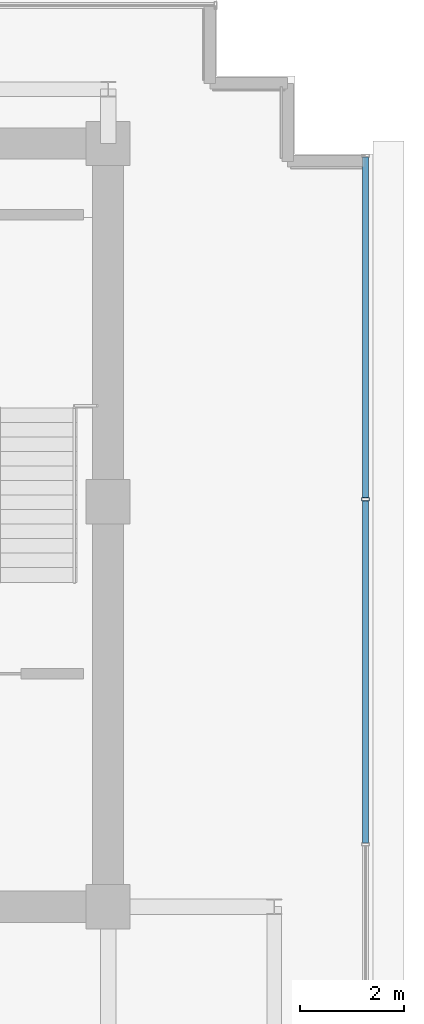
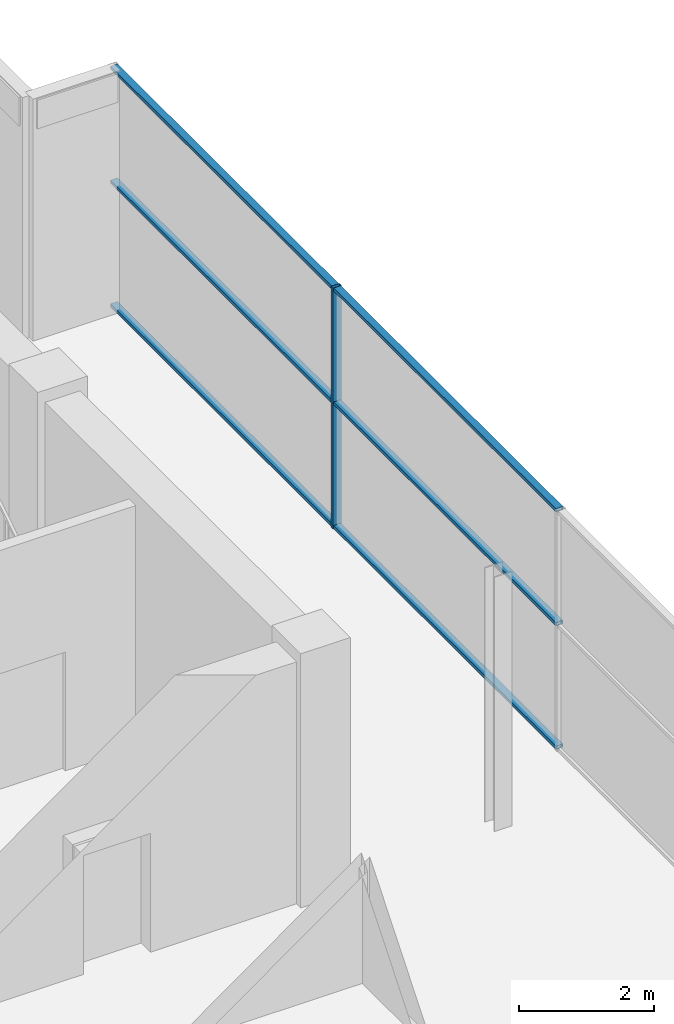
# One storey, part 17 of 26: 7 members, 1 element without a shape of its own.
"""IFC4 building model written with IfcOpenShell, lengths in metres."""

from ifc_helpers import new_model, si_unit, direction, frame, origin, origin_2d, place, context, subcontext, project, spatial, hollow_rectangle, extrude, source, transform, mapped, material, layer, layer_set, material_profile, profile_set, type_object, element, aggregate, save


model = new_model("IFC4")

# Units and contexts
model_context = context("Model", 3, precision=1e-05, world=origin(), true_north=direction((0.0, 1.0)))
body_context = subcontext(model_context, "Body", "Model", "MODEL_VIEW")
ifc_project = project(units=[si_unit("LENGTHUNIT", "METRE"), si_unit("AREAUNIT", "SQUARE_METRE"), si_unit("VOLUMEUNIT", "CUBIC_METRE"), si_unit("PLANEANGLEUNIT", "RADIAN"), si_unit("MASSUNIT", "GRAM", prefix="KILO")], contexts=[model_context])

# Site, building, storey
site_placement = place(None, origin())
site = spatial("IfcSite", under=ifc_project, at=site_placement, CompositionType="ELEMENT")
building_placement = place(site_placement, origin())
building = spatial("IfcBuilding", under=site, at=building_placement, Name="Zarnakvel Exchange Tower", CompositionType="ELEMENT")
storey_placement = place(building_placement, frame((0.0, 0.0, 280.800048828125)))
storey = spatial("IfcBuildingStorey", under=building, at=storey_placement, Name="Crown L79", CompositionType="ELEMENT", Elevation=280.800048828125)

# Curtain wall, members
ifc_material = material(Name="Architectural Bronze Anodised Aluminium", Category="aluminium")
ifc_layer = layer(ifc_material, 0.14990234375)
ifc_layer_set = layer_set([ifc_layer], Name="Architectural Bronze Anodised Aluminium")
curtain_wall_type = type_object("IfcCurtainWallType", Name="CW-07", PredefinedType="NOTDEFINED", material=ifc_layer_set)
curtain_wall_placement = place(storey_placement, origin())
curtain_wall = element("IfcCurtainWall", 1, at=curtain_wall_placement, inside=storey, type_object=curtain_wall_type, Name="Crown L79 Curtain Wall CW-Crown L79-E (CW-07)", PredefinedType="NOTDEFINED")
ifc_material_profile_1 = material_profile(ifc_material, hollow_rectangle(XDim=0.14990234375, YDim=0.06005859375, WallThickness=0.00390625, at=origin_2d()))
ifc_profile_set_1 = profile_set([ifc_material_profile_1], Name="Architectural Bronze Anodised Aluminium")
member_type_1 = type_object("IfcMemberType", Name="CWM-07", PredefinedType="MULLION", material=ifc_profile_set_1)
shared_shape_1 = source(origin(), body_context, "Body", "SweptSolid", [
    extrude(hollow_rectangle(XDim=0.14990234375, YDim=0.06005859375, WallThickness=0.00390625, at=origin_2d()), origin(), (0.0, 0.0, 1.0), 4.35986328125),
])
member_1_placement = place(storey_placement, frame((19.360107421875, 6.64990234375, 0.0), z_axis=(0.0, 0.0, 1.0), x_axis=(-1.0, 0.0, 0.0)))
member_1 = element("IfcMember", 2, at=member_1_placement, type_object=member_type_1, Name="CW-07 mullion 4", PredefinedType="MULLION", context=body_context, shape_type="MappedRepresentation", body=[
    mapped(shared_shape_1, transform((0.0, 0.0, 0.0), x_axis=(1.0, 0.0, 0.0), y_axis=(0.0, 1.0, 0.0), z_axis=(0.0, 0.0, 1.0), scale=1.0)),
])
ifc_material_profile_2 = material_profile(ifc_material, hollow_rectangle(XDim=0.1201171875, YDim=0.06005859375, WallThickness=0.00390625, at=origin_2d()))
ifc_profile_set_2 = profile_set([ifc_material_profile_2], Name="Architectural Bronze Anodised Aluminium")
member_type_2 = type_object("IfcMemberType", Name="CWT-07", PredefinedType="USERDEFINED", material=ifc_profile_set_2)
shared_shape_2 = source(origin(), body_context, "Body", "SweptSolid", [
    extrude(hollow_rectangle(XDim=0.1201171875, YDim=0.06005859375, WallThickness=0.00390625, at=origin_2d()), origin(), (0.0, 0.0, 1.0), 6.56005859375),
])
member_2_placement = place(storey_placement, frame((19.360107421875, 6.679931640625, 0.030029296875), z_axis=(0.0, 1.0, 0.0), x_axis=(-1.0, 0.0, 0.0)))
member_2 = element("IfcMember", 3, at=member_2_placement, type_object=member_type_2, Name="CW-07 transom 4.1", ObjectType="TRANSOM", PredefinedType="USERDEFINED", context=body_context, shape_type="MappedRepresentation", body=[
    mapped(shared_shape_2, transform((0.0, 0.0, 0.0), x_axis=(1.0, 0.0, 0.0), y_axis=(0.0, 1.0, 0.0), z_axis=(0.0, 0.0, 1.0), scale=1.0)),
])
member_3_placement = place(storey_placement, frame((19.360107421875, 6.679931640625, 2.26708984375), z_axis=(0.0, 1.0, 0.0), x_axis=(-1.0, 0.0, 0.0)))
member_3 = element("IfcMember", 4, at=member_3_placement, type_object=member_type_2, Name="CW-07 transom 4.2", ObjectType="TRANSOM", PredefinedType="USERDEFINED", context=body_context, shape_type="MappedRepresentation", body=[
    mapped(shared_shape_2, transform((0.0, 0.0, 0.0), x_axis=(1.0, 0.0, 0.0), y_axis=(0.0, 1.0, 0.0), z_axis=(0.0, 0.0, 1.0), scale=1.0)),
])
member_4_placement = place(storey_placement, frame((19.360107421875, 6.679931640625, 4.329833984375), z_axis=(0.0, 1.0, 0.0), x_axis=(-1.0, 0.0, 0.0)))
member_4 = element("IfcMember", 5, at=member_4_placement, type_object=member_type_2, Name="CW-07 transom 4.3", ObjectType="TRANSOM", PredefinedType="USERDEFINED", context=body_context, shape_type="MappedRepresentation", body=[
    mapped(shared_shape_2, transform((0.0, 0.0, 0.0), x_axis=(1.0, 0.0, 0.0), y_axis=(0.0, 1.0, 0.0), z_axis=(0.0, 0.0, 1.0), scale=1.0)),
])
shared_shape_3 = source(origin(), body_context, "Body", "SweptSolid", [
    extrude(hollow_rectangle(XDim=0.1201171875, YDim=0.06005859375, WallThickness=0.00390625, at=origin_2d()), origin(), (0.0, 0.0, 1.0), 6.590087890625),
])
member_5_placement = place(storey_placement, frame((19.360107421875, 0.030029296875, 0.030029296875), z_axis=(0.0, 1.0, 0.0), x_axis=(-1.0, 0.0, 0.0)))
member_5 = element("IfcMember", 6, at=member_5_placement, type_object=member_type_2, Name="CW-07 transom 3.1", ObjectType="TRANSOM", PredefinedType="USERDEFINED", context=body_context, shape_type="MappedRepresentation", body=[
    mapped(shared_shape_3, transform((0.0, 0.0, 0.0), x_axis=(1.0, 0.0, 0.0), y_axis=(0.0, 1.0, 0.0), z_axis=(0.0, 0.0, 1.0), scale=1.0)),
])
member_6_placement = place(storey_placement, frame((19.360107421875, 0.030029296875, 2.26708984375), z_axis=(0.0, 1.0, 0.0), x_axis=(-1.0, 0.0, 0.0)))
member_6 = element("IfcMember", 7, at=member_6_placement, type_object=member_type_2, Name="CW-07 transom 3.2", ObjectType="TRANSOM", PredefinedType="USERDEFINED", context=body_context, shape_type="MappedRepresentation", body=[
    mapped(shared_shape_3, transform((0.0, 0.0, 0.0), x_axis=(1.0, 0.0, 0.0), y_axis=(0.0, 1.0, 0.0), z_axis=(0.0, 0.0, 1.0), scale=1.0)),
])
member_7_placement = place(storey_placement, frame((19.360107421875, 0.030029296875, 4.329833984375), z_axis=(0.0, 1.0, 0.0), x_axis=(-1.0, 0.0, 0.0)))
member_7 = element("IfcMember", 8, at=member_7_placement, type_object=member_type_2, Name="CW-07 transom 3.3", ObjectType="TRANSOM", PredefinedType="USERDEFINED", context=body_context, shape_type="MappedRepresentation", body=[
    mapped(shared_shape_3, transform((0.0, 0.0, 0.0), x_axis=(1.0, 0.0, 0.0), y_axis=(0.0, 1.0, 0.0), z_axis=(0.0, 0.0, 1.0), scale=1.0)),
])
aggregate(curtain_wall, [member_1, member_5, member_6, member_7, member_2, member_3, member_4])

save(model, "model.ifc")
